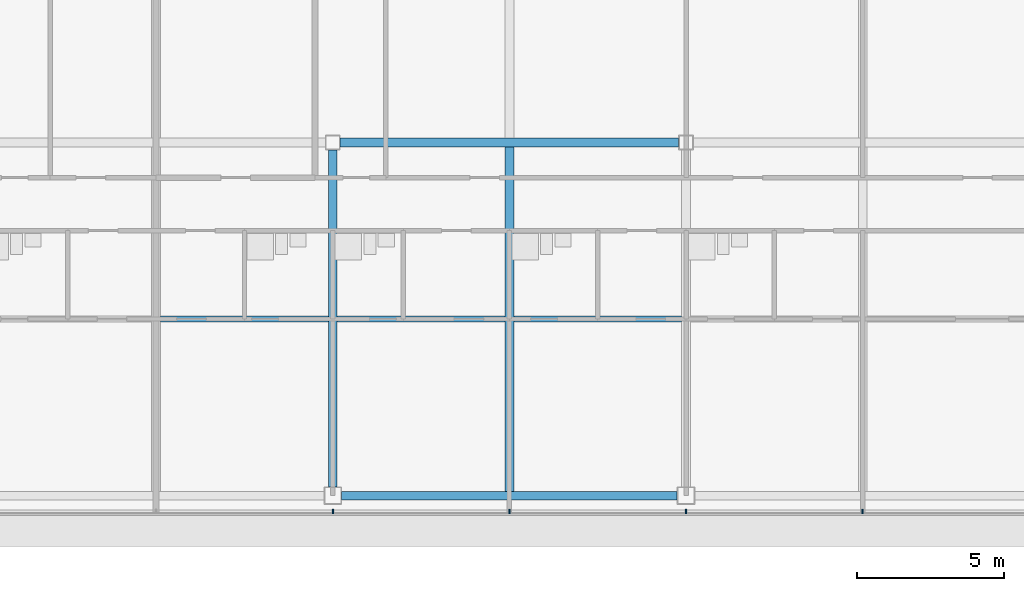
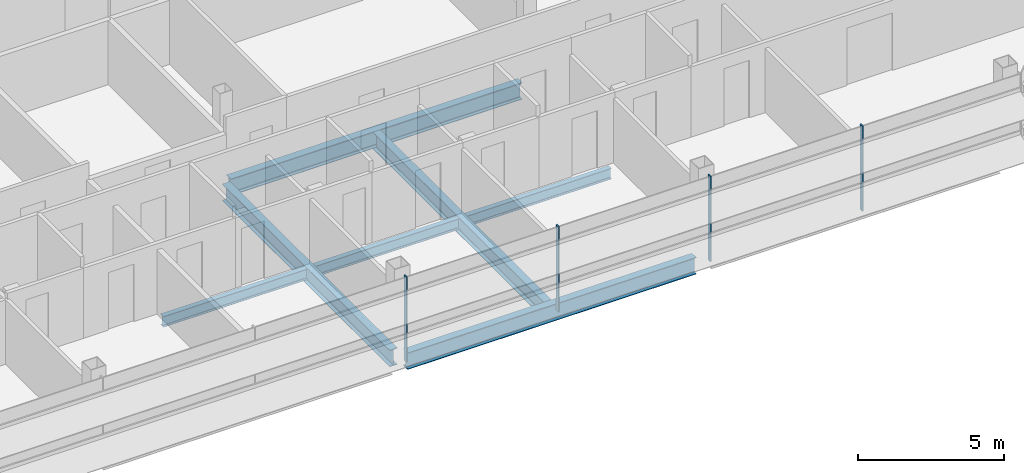
# One storey, part 9 of 28: 7 beams, 4 members, 1 element without a shape of its own.
"""IFC4 building model written with IfcOpenShell, lengths in metres."""

from ifc_helpers import new_model, si_unit, direction, frame, origin, origin_2d, place, context, subcontext, project, spatial, rectangle, i_section, extrude, material, material_profile, profile_set, type_object, element, aggregate, save


model = new_model("IFC4")

# Units and contexts
model_context = context("Model", 3, precision=1e-05, world=origin(), true_north=direction((0.0, 1.0)))
body_context = subcontext(model_context, "Body", "Model", "MODEL_VIEW")
ifc_project = project(units=[si_unit("LENGTHUNIT", "METRE"), si_unit("AREAUNIT", "SQUARE_METRE"), si_unit("VOLUMEUNIT", "CUBIC_METRE"), si_unit("PLANEANGLEUNIT", "RADIAN"), si_unit("MASSUNIT", "GRAM", prefix="KILO")], contexts=[model_context])

# Site, building, storey
site_placement = place(None, origin())
site = spatial("IfcSite", under=ifc_project, at=site_placement, CompositionType="ELEMENT")
building_placement = place(site_placement, origin())
building = spatial("IfcBuilding", under=site, at=building_placement, Name="Sorahane Residences", CompositionType="ELEMENT")
storey_placement = place(building_placement, frame((0.0, 0.0, 254.0)))
storey = spatial("IfcBuildingStorey", under=building, at=storey_placement, Name="L60", CompositionType="ELEMENT", Elevation=254.0)

# Curtain wall, members
ifc_material_1 = material(Name="Dark low-e glass and black anodised aluminium", Category="aluminium")
curtain_wall_type = type_object("IfcCurtainWallType", Name="Curtain wall CW-1 Typical unitised wall", PredefinedType="NOTDEFINED", material=ifc_material_1)
curtain_wall_placement = place(storey_placement, origin())
curtain_wall = element("IfcCurtainWall", 1, at=curtain_wall_placement, inside=storey, type_object=curtain_wall_type, Name="CW-1 curtain wall L60 S1", PredefinedType="NOTDEFINED")
ifc_material_2 = material(Name="Black anodised aluminium", Category="aluminium")
ifc_material_profile_1 = material_profile(ifc_material_2, rectangle(XDim=0.159912109375, YDim=0.050048828125, at=origin_2d()), Name="Curtain wall mullion CW-1 black anodised aluminium 50x160")
ifc_profile_set_1 = profile_set([ifc_material_profile_1], Name="Black anodised aluminium")
member_type = type_object("IfcMemberType", Name="Curtain wall mullion CW-1 black anodised aluminium 50x160", PredefinedType="MULLION", material=ifc_profile_set_1)
member_1_placement = place(storey_placement, frame((24.0, -0.5400390625, -0.179931640625), z_axis=(0.0, 0.0, 1.0), x_axis=(0.0, -1.0, 0.0)))
member_1 = element("IfcMember", 2, at=member_1_placement, type_object=member_type, Name="CW-1 mullion L60 S1.6", PredefinedType="MULLION", context=body_context, shape_type="SweptSolid", body=[
    extrude(rectangle(XDim=0.159912109375, YDim=0.050048828125, at=origin_2d()), origin(), (0.0, 0.0, 1.0), 3.559814453125),
])
member_2_placement = place(storey_placement, frame((30.0, -0.5400390625, -0.179931640625), z_axis=(0.0, 0.0, 1.0), x_axis=(0.0, -1.0, 0.0)))
member_2 = element("IfcMember", 3, at=member_2_placement, type_object=member_type, Name="CW-1 mullion L60 S1.7", PredefinedType="MULLION", context=body_context, shape_type="SweptSolid", body=[
    extrude(rectangle(XDim=0.159912109375, YDim=0.050048828125, at=origin_2d()), origin(), (0.0, 0.0, 1.0), 3.559814453125),
])
member_3_placement = place(storey_placement, frame((36.0, -0.5400390625, -0.179931640625), z_axis=(0.0, 0.0, 1.0), x_axis=(0.0, -1.0, 0.0)))
member_3 = element("IfcMember", 4, at=member_3_placement, type_object=member_type, Name="CW-1 mullion L60 S1.8", PredefinedType="MULLION", context=body_context, shape_type="SweptSolid", body=[
    extrude(rectangle(XDim=0.159912109375, YDim=0.050048828125, at=origin_2d()), origin(), (0.0, 0.0, 1.0), 3.559814453125),
])
member_4_placement = place(storey_placement, frame((42.0, -0.5400390625, -0.179931640625), z_axis=(0.0, 0.0, 1.0), x_axis=(0.0, -1.0, 0.0)))
member_4 = element("IfcMember", 5, at=member_4_placement, type_object=member_type, Name="CW-1 mullion L60 S1.9", PredefinedType="MULLION", context=body_context, shape_type="SweptSolid", body=[
    extrude(rectangle(XDim=0.159912109375, YDim=0.050048828125, at=origin_2d()), origin(), (0.0, 0.0, 1.0), 3.559814453125),
])
aggregate(curtain_wall, [member_1, member_2, member_3, member_4])

# Beams
ifc_material_3 = material(Name="Steel Q355B", Category="steel")
ifc_material_profile_2 = material_profile(ifc_material_3, i_section(OverallWidth=0.199951171875, OverallDepth=0.449951171875, WebThickness=0.009033203125, FlangeThickness=0.013916015625, FilletRadius=0.02001953125, at=origin_2d()), Name="HN 450x200x9x14")
ifc_profile_set_2 = profile_set([ifc_material_profile_2], Name="Steel Q355B")
beam_type_1 = type_object("IfcBeamType", Name="Steel floor beam HN 450x200x9x14 Q355B", PredefinedType="BEAM", material=ifc_profile_set_2)
for number, where, z_axis, x_axis, name in (
    (6, (18.14990234375, 6.0, -0.405029296875), (1.0, 0.0, 0.0), (0.0, 1.0, 0.0), "Beam L60 072"),
    (7, (24.14990234375, 6.0, -0.405029296875), (1.0, 0.0, 0.0), (0.0, 1.0, 0.0), "Beam L60 073"),
    (8, (30.14990234375, 6.0, -0.405029296875), (1.0, 0.0, 0.0), (0.0, 1.0, 0.0), "Beam L60 074"),
):
    element("IfcBeam", number, at=place(storey_placement, frame(where, z_axis=z_axis, x_axis=x_axis)), inside=storey, type_object=beam_type_1, Name=name, PredefinedType="BEAM", context=body_context, shape_type="SweptSolid", body=[
        extrude(i_section(OverallWidth=0.199951171875, OverallDepth=0.449951171875, WebThickness=0.009033203125, FlangeThickness=0.013916015625, FilletRadius=0.02001953125, at=origin_2d()), origin(), (0.0, 0.0, 1.0), 5.7001953125),
    ])
ifc_material_4 = material(Name="Steel Q355B", Category="steel")
ifc_material_profile_3 = material_profile(ifc_material_4, i_section(OverallWidth=0.300048828125, OverallDepth=0.699951171875, WebThickness=0.012939453125, FlangeThickness=0.02392578125, FilletRadius=0.028076171875, at=origin_2d()), Name="HN 700x300x13x24")
ifc_profile_set_3 = profile_set([ifc_material_profile_3], Name="Steel Q355B")
beam_type_2 = type_object("IfcBeamType", Name="Steel floor beam HN 700x300x13x24 Q355B", PredefinedType="BEAM", material=ifc_profile_set_3)
beam_1_placement = place(storey_placement, frame((24.300048828125, 0.0, -0.530029296875), z_axis=(1.0, 0.0, 0.0), x_axis=(0.0, 1.0, 0.0)))
element("IfcBeam", 9, at=beam_1_placement, inside=storey, type_object=beam_type_2, Name="Beam L60 003", PredefinedType="BEAM", context=body_context, shape_type="SweptSolid", body=[
    extrude(i_section(OverallWidth=0.300048828125, OverallDepth=0.699951171875, WebThickness=0.012939453125, FlangeThickness=0.02392578125, FilletRadius=0.028076171875, at=origin_2d()), origin(), (0.0, 0.0, 1.0), 11.39990234375),
])
beam_2_placement = place(storey_placement, frame((24.25, 12.0, -0.530029296875), z_axis=(1.0, 0.0, 0.0), x_axis=(0.0, 1.0, 0.0)))
element("IfcBeam", 10, at=beam_2_placement, inside=storey, type_object=beam_type_2, Name="Beam L60 008", PredefinedType="BEAM", context=body_context, shape_type="SweptSolid", body=[
    extrude(i_section(OverallWidth=0.300048828125, OverallDepth=0.699951171875, WebThickness=0.012939453125, FlangeThickness=0.02392578125, FilletRadius=0.028076171875, at=origin_2d()), origin(), (0.0, 0.0, 1.0), 11.5),
])
beam_3_placement = place(storey_placement, frame((24.0, 0.300048828125, -0.530029296875), z_axis=(0.0, 1.0, 0.0), x_axis=(-1.0, 0.0, 0.0)))
element("IfcBeam", 11, at=beam_3_placement, inside=storey, type_object=beam_type_2, Name="Beam L60 042", PredefinedType="BEAM", context=body_context, shape_type="SweptSolid", body=[
    extrude(i_section(OverallWidth=0.300048828125, OverallDepth=0.699951171875, WebThickness=0.012939453125, FlangeThickness=0.02392578125, FilletRadius=0.028076171875, at=origin_2d()), origin(), (0.0, 0.0, 1.0), 11.449951171875),
])
beam_4_placement = place(storey_placement, frame((30.0, 0.14990234375, -0.530029296875), z_axis=(0.0, 1.0, 0.0), x_axis=(-1.0, 0.0, 0.0)))
element("IfcBeam", 12, at=beam_4_placement, inside=storey, type_object=beam_type_2, Name="Beam L60 044", PredefinedType="BEAM", context=body_context, shape_type="SweptSolid", body=[
    extrude(i_section(OverallWidth=0.300048828125, OverallDepth=0.699951171875, WebThickness=0.012939453125, FlangeThickness=0.02392578125, FilletRadius=0.028076171875, at=origin_2d()), origin(), (0.0, 0.0, 1.0), 11.7001953125),
])

save(model, "model.ifc")
